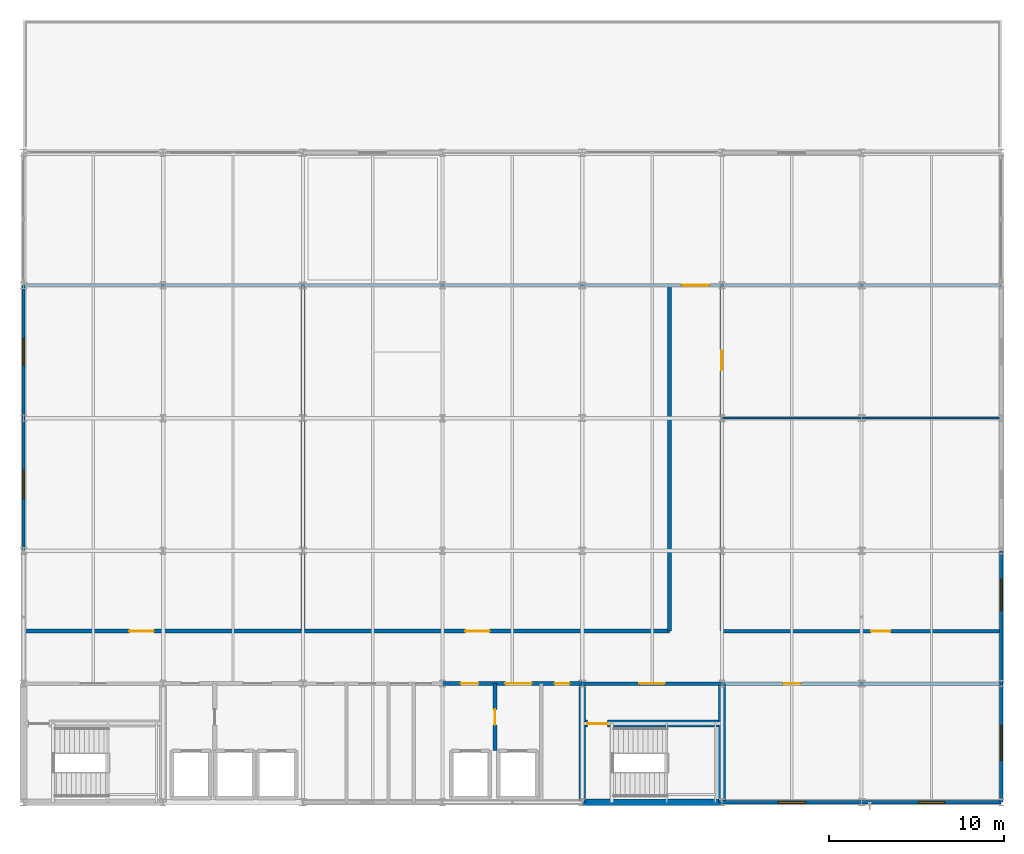
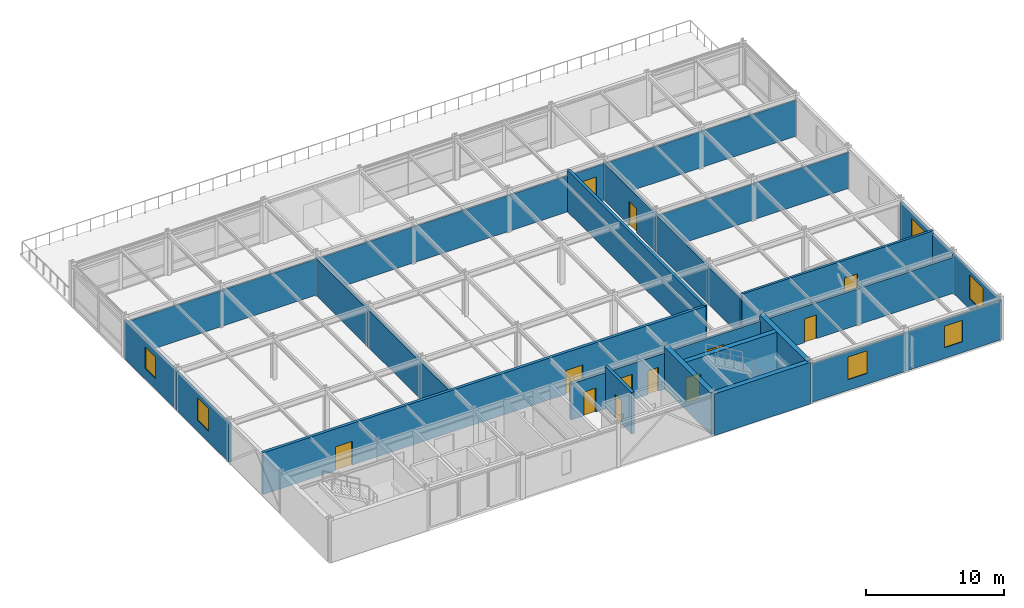
# One storey, part 14 of 17: 21 walls, 12 doors, 6 windows, 18 openings.
"""IFC4 building model written with IfcOpenShell, lengths in metres."""

from ifc_helpers import new_model, si_unit, direction, frame, frame_2d, origin, place, context, subcontext, project, spatial, rectangle, extrude, material, layer, layer_set, type_object, element, fill, save


model = new_model("IFC4")

# Units and contexts
model_context = context("Model", 3, precision=1e-05, world=origin(), true_north=direction((0.0, 1.0)))
body_context = subcontext(model_context, "Body", "Model", "MODEL_VIEW")
ifc_project = project(units=[si_unit("LENGTHUNIT", "METRE"), si_unit("AREAUNIT", "SQUARE_METRE"), si_unit("VOLUMEUNIT", "CUBIC_METRE"), si_unit("PLANEANGLEUNIT", "RADIAN"), si_unit("MASSUNIT", "GRAM", prefix="KILO")], contexts=[model_context])

# Site, building, storey
site_placement = place(None, origin())
site = spatial("IfcSite", under=ifc_project, at=site_placement, CompositionType="ELEMENT")
building_placement = place(site_placement, origin())
building = spatial("IfcBuilding", under=site, at=building_placement, Name="Shalkamar Park Central Library", CompositionType="ELEMENT")
storey_placement = place(building_placement, frame((0.0, 0.0, 36.0)))
storey = spatial("IfcBuildingStorey", under=building, at=storey_placement, Name="L09", CompositionType="ELEMENT", Elevation=36.0)

# Wall, opening, door
ifc_material_1 = material(Name="Acoustic insulated reading partition", Category="masonry")
ifc_layer_1 = layer(ifc_material_1, 0.139892578125)
ifc_layer_set_1 = layer_set([ifc_layer_1], Name="AcousticPartition_140")
wall_type_1 = type_object("IfcWallType", Name="Acoustic Partition 140", PredefinedType="PARTITIONING", material=ifc_layer_set_1)
wall_1_placement = place(storey_placement, frame((165.0, 278.0, 0.0), z_axis=(0.0, 0.0, 1.0), x_axis=(1.0, 0.0, 0.0)))
wall_1 = element("IfcWall", 1, at=wall_1_placement, inside=storey, type_object=wall_type_1, Name="Interior Partition WL-INT-L09-017", PredefinedType="PARTITIONING", context=body_context, shape_type="SweptSolid", body=[
    extrude(rectangle(XDim=56.0, YDim=0.139892578125, at=frame_2d((28.0, 0.0))), origin(), (0.0, 0.0, 1.0), 3.177978515625),
])
opening_1_placement = place(wall_1_placement, frame((37.699951171875, 0.0, 0.0)))
opening_1 = element("IfcOpeningElement", 2, at=opening_1_placement, cuts=wall_1, Name="Opening DR-L09-017", PredefinedType="OPENING", context=body_context, shape_type="SweptSolid", body=[
    extrude(rectangle(XDim=1.60009765625, YDim=2.25, at=frame_2d((0.800048828125, 1.125))), frame((0.0, 0.0849609375, 0.0), z_axis=(0.0, -1.0, 0.0), x_axis=(1.0, 0.0, 0.0)), (0.0, 0.0, 1.0), 0.169677734375),
])
ifc_material_2 = material(Name="Steel S355", Category="steel")
door_type_1 = type_object("IfcDoorType", Name="Interior Door Double 1600x2250", OperationType="DOUBLE_DOOR_SINGLE_SWING", PredefinedType="DOOR", material=ifc_material_2)
door_1_placement = place(opening_1_placement, origin())
door_1 = element("IfcDoor", 3, at=door_1_placement, inside=storey, type_object=door_type_1, Name="L09 Terrace Reading Room Door", OperationType="DOUBLE_DOOR_SINGLE_SWING", OverallHeight=2.25, OverallWidth=1.60009765625, PredefinedType="DOOR", context=body_context, shape_type="SweptSolid", body=[
    extrude(rectangle(XDim=1.60009765625, YDim=2.25, at=frame_2d((0.800048828125, 1.125))), frame((0.0, 0.02490234375, 0.0), z_axis=(0.0, -1.0, 0.0), x_axis=(1.0, 0.0, 0.0)), (0.0, 0.0, 1.0), 0.050048828125),
])
fill(opening_1, door_1)

ifc_material_3 = material(Name="Reinforced fire-compartment masonry wall", Category="masonry")
ifc_layer_2 = layer(ifc_material_3, 0.239990234375)
ifc_layer_set_2 = layer_set([ifc_layer_2], Name="CompartmentWall_240")
wall_type_2 = type_object("IfcWallType", Name="Compartment Wall 240", PredefinedType="PARTITIONING", material=ifc_layer_set_2)
wall_2_placement = place(storey_placement, frame((192.0, 251.35009765625, 0.0), z_axis=(0.0, 0.0, 1.0), x_axis=(0.0, 1.0, 0.0)))
wall_2 = element("IfcWall", 4, at=wall_2_placement, inside=storey, type_object=wall_type_2, Name="Interior Partition WL-INT-L09-002", PredefinedType="PARTITIONING", context=body_context, shape_type="SweptSolid", body=[
    extrude(rectangle(XDim=3.849853515625, YDim=0.239990234375, at=frame_2d((1.9248046875, 0.0))), origin(), (0.0, 0.0, 1.0), 3.679931640625),
])
opening_2_placement = place(wall_2_placement, frame((1.47509765625, 0.0, 0.0)))
opening_2 = element("IfcOpeningElement", 5, at=opening_2_placement, cuts=wall_2, Name="Opening DR-L09-002", PredefinedType="OPENING", context=body_context, shape_type="SweptSolid", body=[
    extrude(rectangle(XDim=0.89990234375, YDim=2.10009765625, at=frame_2d((0.449951171875, 1.050048828125))), frame((0.0, 0.134765625, 0.0), z_axis=(0.0, -1.0, 0.0), x_axis=(1.0, 0.0, 0.0)), (0.0, 0.0, 1.0), 0.269775390625),
])
door_type_2 = type_object("IfcDoorType", Name="Fire Door Single 900x2100", OperationType="NOTDEFINED", PredefinedType="DOOR", material=ifc_material_2)
door_2_placement = place(opening_2_placement, frame((0.89990234375, 0.0, 0.0), z_axis=(0.0, 0.0, 1.0), x_axis=(-1.0, 0.0, 0.0)))
door_2 = element("IfcDoor", 6, at=door_2_placement, inside=storey, type_object=door_type_2, Name="Fire Lobby Interconnect Door", OperationType="SINGLE_SWING_LEFT", OverallHeight=2.10009765625, OverallWidth=0.89990234375, PredefinedType="DOOR", context=body_context, shape_type="SweptSolid", body=[
    extrude(rectangle(XDim=0.89990234375, YDim=2.10009765625, at=frame_2d((0.449951171875, 1.050048828125))), frame((0.0, 0.02490234375, 0.0), z_axis=(0.0, -1.0, 0.0), x_axis=(1.0, 0.0, 0.0)), (0.0, 0.0, 1.0), 0.050048828125),
])
fill(opening_2, door_2)

# Wall, openings, doors
wall_3_placement = place(storey_placement, frame((189.0, 255.199951171875, 0.0), z_axis=(0.0, 0.0, 1.0), x_axis=(1.0, 0.0, 0.0)))
wall_3 = element("IfcWall", 7, at=wall_3_placement, inside=storey, type_object=wall_type_2, Name="Interior Partition WL-INT-L09-009", PredefinedType="PARTITIONING", context=body_context, shape_type="SweptSolid", body=[
    extrude(rectangle(XDim=8.0, YDim=0.239990234375, at=frame_2d((4.0, 0.0))), origin(), (0.0, 0.0, 1.0), 3.177978515625),
])
opening_3_placement = place(wall_3_placement, frame((1.050048828125, 0.0, 0.0)))
opening_3 = element("IfcOpeningElement", 8, at=opening_3_placement, cuts=wall_3, Name="Opening DR-L09-009", PredefinedType="OPENING", context=body_context, shape_type="SweptSolid", body=[
    extrude(rectangle(XDim=1.0, YDim=2.10009765625, at=frame_2d((0.5, 1.050048828125))), frame((0.0, 0.134765625, 0.0), z_axis=(0.0, -1.0, 0.0), x_axis=(1.0, 0.0, 0.0)), (0.0, 0.0, 1.0), 0.269775390625),
])
opening_4_placement = place(wall_3_placement, frame((3.60009765625, 0.0, 0.0)))
opening_4 = element("IfcOpeningElement", 9, at=opening_4_placement, cuts=wall_3, Name="Opening DR-L09-010", PredefinedType="OPENING", context=body_context, shape_type="SweptSolid", body=[
    extrude(rectangle(XDim=1.5, YDim=2.25, at=frame_2d((0.75, 1.125))), frame((0.0, 0.134765625, 0.0), z_axis=(0.0, -1.0, 0.0), x_axis=(1.0, 0.0, 0.0)), (0.0, 0.0, 1.0), 0.269775390625),
])
opening_5_placement = place(wall_3_placement, frame((6.425048828125, 0.0, 0.0)))
opening_5 = element("IfcOpeningElement", 10, at=opening_5_placement, cuts=wall_3, Name="Opening DR-L09-011", PredefinedType="OPENING", context=body_context, shape_type="SweptSolid", body=[
    extrude(rectangle(XDim=0.85009765625, YDim=2.10009765625, at=frame_2d((0.425048828125, 1.050048828125))), frame((0.0, 0.134765625, 0.0), z_axis=(0.0, -1.0, 0.0), x_axis=(1.0, 0.0, 0.0)), (0.0, 0.0, 1.0), 0.269775390625),
])
door_type_3 = type_object("IfcDoorType", Name="Fire Door Riser 850x2100", OperationType="NOTDEFINED", PredefinedType="DOOR", material=ifc_material_2)
door_3_placement = place(opening_5_placement, frame((0.85009765625, 0.0, 0.0), z_axis=(0.0, 0.0, 1.0), x_axis=(-1.0, 0.0, 0.0)))
door_3 = element("IfcDoor", 11, at=door_3_placement, inside=storey, type_object=door_type_3, Name="Mechanical Riser Access Door", OperationType="SINGLE_SWING_LEFT", OverallHeight=2.10009765625, OverallWidth=0.85009765625, PredefinedType="DOOR", context=body_context, shape_type="SweptSolid", body=[
    extrude(rectangle(XDim=0.85009765625, YDim=2.10009765625, at=frame_2d((0.425048828125, 1.050048828125))), frame((0.0, 0.02490234375, 0.0), z_axis=(0.0, -1.0, 0.0), x_axis=(1.0, 0.0, 0.0)), (0.0, 0.0, 1.0), 0.050048828125),
])
fill(opening_5, door_3)
door_type_4 = type_object("IfcDoorType", Name="Fire Door Single 1000x2100", OperationType="NOTDEFINED", PredefinedType="DOOR", material=ifc_material_2)
door_4_placement = place(opening_3_placement, origin())
door_4 = element("IfcDoor", 12, at=door_4_placement, inside=storey, type_object=door_type_4, Name="East Firefighting Lobby Door", OperationType="SINGLE_SWING_LEFT", OverallHeight=2.10009765625, OverallWidth=1.0, PredefinedType="DOOR", context=body_context, shape_type="SweptSolid", body=[
    extrude(rectangle(XDim=1.0, YDim=2.10009765625, at=frame_2d((0.5, 1.050048828125))), frame((0.0, 0.02490234375, 0.0), z_axis=(0.0, -1.0, 0.0), x_axis=(1.0, 0.0, 0.0)), (0.0, 0.0, 1.0), 0.050048828125),
])
fill(opening_3, door_4)
door_type_5 = type_object("IfcDoorType", Name="Interior Door Double 1500x2250", OperationType="DOUBLE_DOOR_SINGLE_SWING", PredefinedType="DOOR", material=ifc_material_2)
door_5_placement = place(opening_4_placement, origin())
door_5 = element("IfcDoor", 13, at=door_5_placement, inside=storey, type_object=door_type_5, Name="East Lift Lobby Entrance", OperationType="DOUBLE_DOOR_SINGLE_SWING", OverallHeight=2.25, OverallWidth=1.5, PredefinedType="DOOR", context=body_context, shape_type="SweptSolid", body=[
    extrude(rectangle(XDim=1.5, YDim=2.25, at=frame_2d((0.75, 1.125))), frame((0.0, 0.02490234375, 0.0), z_axis=(0.0, -1.0, 0.0), x_axis=(1.0, 0.0, 0.0)), (0.0, 0.0, 1.0), 0.050048828125),
])
fill(opening_4, door_5)

wall_4_placement = place(storey_placement, frame((165.0, 258.199951171875, 0.0), z_axis=(0.0, 0.0, 1.0), x_axis=(1.0, 0.0, 0.0)))
wall_4 = element("IfcWall", 14, at=wall_4_placement, inside=storey, type_object=wall_type_2, Name="Interior Partition WL-INT-L09-011", PredefinedType="PARTITIONING", context=body_context, shape_type="SweptSolid", body=[
    extrude(rectangle(XDim=37.0, YDim=0.239990234375, at=frame_2d((18.5, 0.0))), origin(), (0.0, 0.0, 1.0), 3.679931640625),
])
opening_6_placement = place(wall_4_placement, frame((6.06005859375, 0.0, 0.0)))
opening_6 = element("IfcOpeningElement", 15, at=opening_6_placement, cuts=wall_4, Name="Opening DR-L09-013", PredefinedType="OPENING", context=body_context, shape_type="SweptSolid", body=[
    extrude(rectangle(XDim=1.39990234375, YDim=2.10009765625, at=frame_2d((0.699951171875, 1.050048828125))), frame((0.0, 0.134765625, 0.0), z_axis=(0.0, -1.0, 0.0), x_axis=(1.0, 0.0, 0.0)), (0.0, 0.0, 1.0), 0.269775390625),
])
opening_7_placement = place(wall_4_placement, frame((25.300048828125, 0.0, 0.0)))
opening_7 = element("IfcOpeningElement", 16, at=opening_7_placement, cuts=wall_4, Name="Opening DR-L09-014", PredefinedType="OPENING", context=body_context, shape_type="SweptSolid", body=[
    extrude(rectangle(XDim=1.39990234375, YDim=2.10009765625, at=frame_2d((0.699951171875, 1.050048828125))), frame((0.0, 0.134765625, 0.0), z_axis=(0.0, -1.0, 0.0), x_axis=(1.0, 0.0, 0.0)), (0.0, 0.0, 1.0), 0.269775390625),
])
door_type_6 = type_object("IfcDoorType", Name="Fire Door Double 1400x2100", OperationType="DOUBLE_DOOR_SINGLE_SWING", PredefinedType="DOOR", material=ifc_material_2)
door_6_placement = place(opening_6_placement, origin())
door_6 = element("IfcDoor", 17, at=door_6_placement, inside=storey, type_object=door_type_6, Name="L09 Periodical Stacks West Door", OperationType="DOUBLE_DOOR_SINGLE_SWING", OverallHeight=2.10009765625, OverallWidth=1.39990234375, PredefinedType="DOOR", context=body_context, shape_type="SweptSolid", body=[
    extrude(rectangle(XDim=1.39990234375, YDim=2.10009765625, at=frame_2d((0.699951171875, 1.050048828125))), frame((0.0, 0.02490234375, 0.0), z_axis=(0.0, -1.0, 0.0), x_axis=(1.0, 0.0, 0.0)), (0.0, 0.0, 1.0), 0.050048828125),
])
fill(opening_6, door_6)
door_7_placement = place(opening_7_placement, origin())
door_7 = element("IfcDoor", 18, at=door_7_placement, inside=storey, type_object=door_type_6, Name="L09 Periodical Stacks Central Door", OperationType="DOUBLE_DOOR_SINGLE_SWING", OverallHeight=2.10009765625, OverallWidth=1.39990234375, PredefinedType="DOOR", context=body_context, shape_type="SweptSolid", body=[
    extrude(rectangle(XDim=1.39990234375, YDim=2.10009765625, at=frame_2d((0.699951171875, 1.050048828125))), frame((0.0, 0.02490234375, 0.0), z_axis=(0.0, -1.0, 0.0), x_axis=(1.0, 0.0, 0.0)), (0.0, 0.0, 1.0), 0.050048828125),
])
fill(opening_7, door_7)

# Walls
wall_5_placement = place(storey_placement, frame((181.0, 258.199951171875, 0.0), z_axis=(0.0, 0.0, 1.0), x_axis=(0.0, 1.0, 0.0)))
element("IfcWall", 19, at=wall_5_placement, inside=storey, type_object=wall_type_2, Name="Interior Partition WL-INT-L09-012", PredefinedType="PARTITIONING", context=body_context, shape_type="SweptSolid", body=[
    extrude(rectangle(XDim=19.800048828125, YDim=0.239990234375, at=frame_2d((9.89990234375, 0.0))), origin(), (0.0, 0.0, 1.0), 3.278076171875),
])
wall_6_placement = place(storey_placement, frame((202.0, 258.199951171875, 0.0), z_axis=(0.0, 0.0, 1.0), x_axis=(0.0, 1.0, 0.0)))
element("IfcWall", 20, at=wall_6_placement, inside=storey, type_object=wall_type_2, Name="Interior Partition WL-INT-L09-013", PredefinedType="PARTITIONING", context=body_context, shape_type="SweptSolid", body=[
    extrude(rectangle(XDim=19.800048828125, YDim=0.239990234375, at=frame_2d((9.89990234375, 0.0))), origin(), (0.0, 0.0, 1.0), 3.679931640625),
])

# Wall, opening, door
ifc_material_4 = material(Name="Fire-rated corridor partition wall", Category="masonry")
ifc_layer_3 = layer(ifc_material_4, 0.199951171875)
ifc_layer_set_3 = layer_set([ifc_layer_3], Name="CorridorFireWall_200")
wall_type_3 = type_object("IfcWallType", Name="Corridor Fire Wall 200", PredefinedType="PARTITIONING", material=ifc_layer_set_3)
wall_7_placement = place(storey_placement, frame((197.0, 255.199951171875, 0.0), z_axis=(0.0, 0.0, 1.0), x_axis=(1.0, 0.0, 0.0)))
wall_7 = element("IfcWall", 21, at=wall_7_placement, inside=storey, type_object=wall_type_3, Name="CORE-T2 Vestibule North Wall (L09)", PredefinedType="PARTITIONING", context=body_context, shape_type="SweptSolid", body=[
    extrude(rectangle(XDim=8.0, YDim=0.199951171875, at=frame_2d((4.0, 0.0))), origin(), (0.0, 0.0, 1.0), 3.177978515625),
])
opening_8_placement = place(wall_7_placement, frame((3.27490234375, 0.0, 0.0)))
opening_8 = element("IfcOpeningElement", 22, at=opening_8_placement, cuts=wall_7, Name="Opening DR-ST-T2-L09-VEST", PredefinedType="OPENING", context=body_context, shape_type="SweptSolid", body=[
    extrude(rectangle(XDim=1.449951171875, YDim=2.199951171875, at=frame_2d((0.72509765625, 1.10009765625))), frame((0.0, 0.11474609375, 0.0), z_axis=(0.0, -1.0, 0.0), x_axis=(1.0, 0.0, 0.0)), (0.0, 0.0, 1.0), 0.229736328125),
])
door_type_7 = type_object("IfcDoorType", Name="Stair Vestibule Door 1450x2200", OperationType="DOUBLE_DOOR_SINGLE_SWING", PredefinedType="DOOR", material=ifc_material_2)
door_8_placement = place(opening_8_placement, frame((1.449951171875, 0.0, 0.0), z_axis=(0.0, 0.0, 1.0), x_axis=(-1.0, 0.0, 0.0)))
door_8 = element("IfcDoor", 23, at=door_8_placement, inside=storey, type_object=door_type_7, Name="Protected Stair ST-T2 Vestibule Door (L09)", OperationType="DOUBLE_DOOR_SINGLE_SWING", OverallHeight=2.199951171875, OverallWidth=1.449951171875, PredefinedType="DOOR", context=body_context, shape_type="SweptSolid", body=[
    extrude(rectangle(XDim=1.449951171875, YDim=2.199951171875, at=frame_2d((0.72509765625, 1.10009765625))), frame((0.0, 0.02490234375, 0.0), z_axis=(0.0, -1.0, 0.0), x_axis=(1.0, 0.0, 0.0)), (0.0, 0.0, 1.0), 0.050048828125),
])
fill(opening_8, door_8)

wall_8_placement = place(storey_placement, frame((205.0, 255.199951171875, 0.0), z_axis=(0.0, 0.0, 1.0), x_axis=(1.0, 0.0, 0.0)))
wall_8 = element("IfcWall", 24, at=wall_8_placement, inside=storey, type_object=wall_type_3, Name="Interior Partition WL-INT-L09-010", PredefinedType="PARTITIONING", context=body_context, shape_type="SweptSolid", body=[
    extrude(rectangle(XDim=16.0, YDim=0.199951171875, at=frame_2d((8.0, 0.0))), origin(), (0.0, 0.0, 1.0), 3.177978515625),
])
opening_9_placement = place(wall_8_placement, frame((3.5, 0.0, 0.0)))
opening_9 = element("IfcOpeningElement", 25, at=opening_9_placement, cuts=wall_8, Name="Opening DR-L09-012", PredefinedType="OPENING", context=body_context, shape_type="SweptSolid", body=[
    extrude(rectangle(XDim=1.0, YDim=2.10009765625, at=frame_2d((0.5, 1.050048828125))), frame((0.0, 0.11474609375, 0.0), z_axis=(0.0, -1.0, 0.0), x_axis=(1.0, 0.0, 0.0)), (0.0, 0.0, 1.0), 0.229736328125),
])
door_type_8 = type_object("IfcDoorType", Name="Interior Door Single 1000x2100", OperationType="NOTDEFINED", PredefinedType="DOOR", material=ifc_material_2)
door_9_placement = place(opening_9_placement, frame((1.0, 0.0, 0.0), z_axis=(0.0, 0.0, 1.0), x_axis=(-1.0, 0.0, 0.0)))
door_9 = element("IfcDoor", 26, at=door_9_placement, inside=storey, type_object=door_type_8, Name="L09 Periodicals Office Door", OperationType="SINGLE_SWING_RIGHT", OverallHeight=2.10009765625, OverallWidth=1.0, PredefinedType="DOOR", context=body_context, shape_type="SweptSolid", body=[
    extrude(rectangle(XDim=1.0, YDim=2.10009765625, at=frame_2d((0.5, 1.050048828125))), frame((0.0, 0.02490234375, 0.0), z_axis=(0.0, -1.0, 0.0), x_axis=(1.0, 0.0, 0.0)), (0.0, 0.0, 1.0), 0.050048828125),
])
fill(opening_9, door_9)

wall_9_placement = place(storey_placement, frame((205.0, 258.199951171875, 0.0), z_axis=(0.0, 0.0, 1.0), x_axis=(1.0, 0.0, 0.0)))
wall_9 = element("IfcWall", 27, at=wall_9_placement, inside=storey, type_object=wall_type_3, Name="Interior Partition WL-INT-L09-014", PredefinedType="PARTITIONING", context=body_context, shape_type="SweptSolid", body=[
    extrude(rectangle(XDim=16.0, YDim=0.199951171875, at=frame_2d((8.0, 0.0))), origin(), (0.0, 0.0, 1.0), 3.679931640625),
])
opening_10_placement = place(wall_9_placement, frame((8.5400390625, 0.0, 0.0)))
opening_10 = element("IfcOpeningElement", 28, at=opening_10_placement, cuts=wall_9, Name="Opening DR-L09-015", PredefinedType="OPENING", context=body_context, shape_type="SweptSolid", body=[
    extrude(rectangle(XDim=1.10009765625, YDim=2.10009765625, at=frame_2d((0.550048828125, 1.050048828125))), frame((0.0, 0.11474609375, 0.0), z_axis=(0.0, -1.0, 0.0), x_axis=(1.0, 0.0, 0.0)), (0.0, 0.0, 1.0), 0.229736328125),
])
door_type_9 = type_object("IfcDoorType", Name="Interior Door Single 1100x2100", OperationType="NOTDEFINED", PredefinedType="DOOR", material=ifc_material_2)
door_10_placement = place(opening_10_placement, origin())
door_10 = element("IfcDoor", 29, at=door_10_placement, inside=storey, type_object=door_type_9, Name="L09 Collaborative Seminar A Door", OperationType="SINGLE_SWING_RIGHT", OverallHeight=2.10009765625, OverallWidth=1.10009765625, PredefinedType="DOOR", context=body_context, shape_type="SweptSolid", body=[
    extrude(rectangle(XDim=1.10009765625, YDim=2.10009765625, at=frame_2d((0.550048828125, 1.050048828125))), frame((0.0, 0.02490234375, 0.0), z_axis=(0.0, -1.0, 0.0), x_axis=(1.0, 0.0, 0.0)), (0.0, 0.0, 1.0), 0.050048828125),
])
fill(opening_10, door_10)

wall_10_placement = place(storey_placement, frame((205.0, 258.199951171875, 0.0), z_axis=(0.0, 0.0, 1.0), x_axis=(0.0, 1.0, 0.0)))
wall_10 = element("IfcWall", 30, at=wall_10_placement, inside=storey, type_object=wall_type_3, Name="Interior Partition WL-INT-L09-015", PredefinedType="PARTITIONING", context=body_context, shape_type="SweptSolid", body=[
    extrude(rectangle(XDim=19.800048828125, YDim=0.199951171875, at=frame_2d((9.89990234375, 0.0))), origin(), (0.0, 0.0, 1.0), 3.278076171875),
])
opening_11_placement = place(wall_10_placement, frame((14.949951171875, 0.0, 0.0)))
opening_11 = element("IfcOpeningElement", 31, at=opening_11_placement, cuts=wall_10, Name="Opening DR-L09-016", PredefinedType="OPENING", context=body_context, shape_type="SweptSolid", body=[
    extrude(rectangle(XDim=1.10009765625, YDim=2.10009765625, at=frame_2d((0.550048828125, 1.050048828125))), frame((0.0, 0.11474609375, 0.0), z_axis=(0.0, -1.0, 0.0), x_axis=(1.0, 0.0, 0.0)), (0.0, 0.0, 1.0), 0.229736328125),
])
door_11_placement = place(opening_11_placement, frame((1.10009765625, 0.0, 0.0), z_axis=(0.0, 0.0, 1.0), x_axis=(-1.0, 0.0, 0.0)))
door_11 = element("IfcDoor", 32, at=door_11_placement, inside=storey, type_object=door_type_9, Name="L09 Collaborative Seminar B Door", OperationType="SINGLE_SWING_LEFT", OverallHeight=2.10009765625, OverallWidth=1.10009765625, PredefinedType="DOOR", context=body_context, shape_type="SweptSolid", body=[
    extrude(rectangle(XDim=1.10009765625, YDim=2.10009765625, at=frame_2d((0.550048828125, 1.050048828125))), frame((0.0, 0.02490234375, 0.0), z_axis=(0.0, -1.0, 0.0), x_axis=(1.0, 0.0, 0.0)), (0.0, 0.0, 1.0), 0.050048828125),
])
fill(opening_11, door_11)

# Walls
ifc_material_5 = material(Name="Lightweight acoustic stud partition", Category="masonry")
ifc_layer_4 = layer(ifc_material_5, 0.1201171875)
ifc_layer_set_4 = layer_set([ifc_layer_4], Name="StandardPartition_120")
wall_type_4 = type_object("IfcWallType", Name="Standard Partition 120", PredefinedType="PARTITIONING", material=ifc_layer_set_4)
wall_11_placement = place(storey_placement, frame((205.0, 270.39990234375, 0.0), z_axis=(0.0, 0.0, 1.0), x_axis=(1.0, 0.0, 0.0)))
element("IfcWall", 33, at=wall_11_placement, inside=storey, type_object=wall_type_4, Name="Interior Partition WL-INT-L09-016", PredefinedType="PARTITIONING", context=body_context, shape_type="SweptSolid", body=[
    extrude(rectangle(XDim=16.0, YDim=0.1201171875, at=frame_2d((8.0, 0.0))), origin(), (0.0, 0.0, 1.0), 3.177978515625),
])
ifc_material_6 = material(Name="Concrete C40/50", Category="concrete")
ifc_layer_5 = layer(ifc_material_6, 0.39990234375)
ifc_layer_set_5 = layer_set([ifc_layer_5], Name="Concrete C40/50")
wall_type_5 = type_object("IfcWallType", Name="Tower Core Shear Wall 400", PredefinedType="SHEAR", material=ifc_layer_set_5)
wall_12_placement = place(storey_placement, frame((197.0, 248.39990234375, 0.0), z_axis=(0.0, 0.0, 1.0), x_axis=(1.0, 0.0, 0.0)))
element("IfcWall", 34, at=wall_12_placement, inside=storey, type_object=wall_type_5, Name="CORE-T2 South Shear Wall (L09)", PredefinedType="SHEAR", context=body_context, shape_type="SweptSolid", body=[
    extrude(rectangle(XDim=8.0, YDim=0.39990234375, at=frame_2d((4.0, 0.0))), origin(), (0.0, 0.0, 1.0), 3.679931640625),
])
for number, where, z_axis, x_axis, name in (
    (35, (197.0, 248.39990234375, 0.0), (0.0, 0.0, 1.0), (0.0, 1.0, 0.0), "CORE-T2 West Shear Wall (L09)"),
    (36, (205.0, 248.39990234375, 0.0), (0.0, 0.0, 1.0), (0.0, 1.0, 0.0), "CORE-T2 East Shear Wall (L09)"),
):
    element("IfcWall", number, at=place(storey_placement, frame(where, z_axis=z_axis, x_axis=x_axis)), inside=storey, type_object=wall_type_5, Name=name, PredefinedType="SHEAR", context=body_context, shape_type="SweptSolid", body=[
        extrude(rectangle(XDim=6.800048828125, YDim=0.39990234375, at=frame_2d((3.39990234375, 0.0))), origin(), (0.0, 0.0, 1.0), 3.679931640625),
    ])

# Wall, opening, door
wall_13_placement = place(storey_placement, frame((197.0, 252.89990234375, 0.0), z_axis=(0.0, 0.0, 1.0), x_axis=(1.0, 0.0, 0.0)))
wall_13 = element("IfcWall", 37, at=wall_13_placement, inside=storey, type_object=wall_type_5, Name="CORE-T2 Stairwell Wall (L09)", PredefinedType="SHEAR", context=body_context, shape_type="SweptSolid", body=[
    extrude(rectangle(XDim=8.0, YDim=0.39990234375, at=frame_2d((4.0, 0.0))), origin(), (0.0, 0.0, 1.0), 3.679931640625),
])
opening_12_placement = place(wall_13_placement, frame((0.300048828125, 0.0, 0.0)))
opening_12 = element("IfcOpeningElement", 38, at=opening_12_placement, cuts=wall_13, Name="Opening DR-ST-T2-L09-IN", PredefinedType="OPENING", context=body_context, shape_type="SweptSolid", body=[
    extrude(rectangle(XDim=1.14990234375, YDim=2.14990234375, at=frame_2d((0.574951171875, 1.074951171875))), frame((0.0, 0.21484375, 0.0), z_axis=(0.0, -1.0, 0.0), x_axis=(1.0, 0.0, 0.0)), (0.0, 0.0, 1.0), 0.4296875),
])
door_type_10 = type_object("IfcDoorType", Name="Stair Core Exit Door 1150x2150", OperationType="NOTDEFINED", PredefinedType="DOOR", material=ifc_material_2)
door_12_placement = place(opening_12_placement, frame((1.14990234375, 0.0, 0.0), z_axis=(0.0, 0.0, 1.0), x_axis=(-1.0, 0.0, 0.0)))
door_12 = element("IfcDoor", 39, at=door_12_placement, inside=storey, type_object=door_type_10, Name="Protected Stair ST-T2 Exit Door (L09)", OperationType="SINGLE_SWING_RIGHT", OverallHeight=2.14990234375, OverallWidth=1.14990234375, PredefinedType="DOOR", context=body_context, shape_type="SweptSolid", body=[
    extrude(rectangle(XDim=1.14990234375, YDim=2.14990234375, at=frame_2d((0.574951171875, 1.074951171875))), frame((0.0, 0.02490234375, 0.0), z_axis=(0.0, -1.0, 0.0), x_axis=(1.0, 0.0, 0.0)), (0.0, 0.0, 1.0), 0.050048828125),
])
fill(opening_12, door_12)

# Wall, opening, window
ifc_material_7 = material(Name="Terracotta insulated wall panel", Category="masonry")
ifc_layer_6 = layer(ifc_material_7, 0.179931640625)
ifc_layer_set_6 = layer_set([ifc_layer_6], Name="TowerSpandrelWall_180")
wall_type_6 = type_object("IfcWallType", Name="Tower Spandrel Wall 180", PredefinedType="SOLIDWALL", material=ifc_layer_set_6)
wall_14_placement = place(storey_placement, frame((205.006103515625, 248.39990234375, 0.0), z_axis=(0.0, 0.0, 1.0), x_axis=(1.0, 0.0, 0.0)))
wall_14 = element("IfcWall", 40, at=wall_14_placement, inside=storey, type_object=wall_type_6, Name="Exterior Facade Wall WL-EXT-L09-188", PredefinedType="SOLIDWALL", context=body_context, shape_type="SweptSolid", body=[
    extrude(rectangle(XDim=7.98779296875, YDim=0.179931640625, at=frame_2d((3.993896484375, 0.0))), origin(), (0.0, 0.0, 1.0), 3.367919921875),
])
opening_13_placement = place(wall_14_placement, frame((3.194091796875, 0.0, 0.949951171875)))
opening_13 = element("IfcOpeningElement", 41, at=opening_13_placement, cuts=wall_14, Name="Opening WN-13", PredefinedType="OPENING", context=body_context, shape_type="SweptSolid", body=[
    extrude(rectangle(XDim=1.60009765625, YDim=2.0, at=frame_2d((0.800048828125, 1.0))), frame((0.0, 0.10498046875, 0.0), z_axis=(0.0, -1.0, 0.0), x_axis=(1.0, 0.0, 0.0)), (0.0, 0.0, 1.0), 0.209716796875),
])
ifc_material_8 = material(Name="Thermally broken aluminium and triple low-e glass", Category="glass")
window_type_1 = type_object("IfcWindowType", Name="Tower Window 1600x2000", PartitioningType="SINGLE_PANEL", PredefinedType="WINDOW", material=ifc_material_8)
window_1_placement = place(opening_13_placement, origin())
window_1 = element("IfcWindow", 42, at=window_1_placement, inside=storey, type_object=window_type_1, Name="Facade Window WN-L09-134", OverallHeight=2.0, OverallWidth=1.60009765625, PartitioningType="SINGLE_PANEL", PredefinedType="WINDOW", context=body_context, shape_type="SweptSolid", body=[
    extrude(rectangle(XDim=1.60009765625, YDim=2.0, at=frame_2d((0.800048828125, 1.0))), frame((0.0, 0.030029296875, 0.0), z_axis=(0.0, -1.0, 0.0), x_axis=(1.0, 0.0, 0.0)), (0.0, 0.0, 1.0), 0.06005859375),
])
fill(opening_13, window_1)

wall_15_placement = place(storey_placement, frame((213.006103515625, 248.39990234375, 0.0), z_axis=(0.0, 0.0, 1.0), x_axis=(1.0, 0.0, 0.0)))
wall_15 = element("IfcWall", 43, at=wall_15_placement, inside=storey, type_object=wall_type_6, Name="Exterior Facade Wall WL-EXT-L09-189", PredefinedType="SOLIDWALL", context=body_context, shape_type="SweptSolid", body=[
    extrude(rectangle(XDim=7.98779296875, YDim=0.179931640625, at=frame_2d((3.993896484375, 0.0))), origin(), (0.0, 0.0, 1.0), 3.367919921875),
])
opening_14_placement = place(wall_15_placement, frame((3.243896484375, 0.0, 0.949951171875)))
opening_14 = element("IfcOpeningElement", 44, at=opening_14_placement, cuts=wall_15, Name="Opening WN-14", PredefinedType="OPENING", context=body_context, shape_type="SweptSolid", body=[
    extrude(rectangle(XDim=1.5, YDim=1.89990234375, at=frame_2d((0.75, 0.949951171875))), frame((0.0, 0.10498046875, 0.0), z_axis=(0.0, -1.0, 0.0), x_axis=(1.0, 0.0, 0.0)), (0.0, 0.0, 1.0), 0.209716796875),
])
window_type_2 = type_object("IfcWindowType", Name="Tower Window 1500x1900", PartitioningType="SINGLE_PANEL", PredefinedType="WINDOW", material=ifc_material_8)
window_2_placement = place(opening_14_placement, origin())
window_2 = element("IfcWindow", 45, at=window_2_placement, inside=storey, type_object=window_type_2, Name="Facade Window WN-L09-135", OverallHeight=1.89990234375, OverallWidth=1.5, PartitioningType="SINGLE_PANEL", PredefinedType="WINDOW", context=body_context, shape_type="SweptSolid", body=[
    extrude(rectangle(XDim=1.5, YDim=1.89990234375, at=frame_2d((0.75, 0.949951171875))), frame((0.0, 0.030029296875, 0.0), z_axis=(0.0, -1.0, 0.0), x_axis=(1.0, 0.0, 0.0)), (0.0, 0.0, 1.0), 0.06005859375),
])
fill(opening_14, window_2)

wall_16_placement = place(storey_placement, frame((165.0, 262.805908203125, 0.0), z_axis=(0.0, 0.0, 1.0), x_axis=(0.0, 1.0, 0.0)))
wall_16 = element("IfcWall", 46, at=wall_16_placement, inside=storey, type_object=wall_type_6, Name="Exterior Facade Wall WL-EXT-L09-193", PredefinedType="SOLIDWALL", context=body_context, shape_type="SweptSolid", body=[
    extrude(rectangle(XDim=7.588134765625, YDim=0.179931640625, at=frame_2d((3.7939453125, 0.0))), origin(), (0.0, 0.0, 1.0), 3.407958984375),
])
opening_15_placement = place(wall_16_placement, frame((2.993896484375, 0.0, 0.949951171875)))
opening_15 = element("IfcOpeningElement", 47, at=opening_15_placement, cuts=wall_16, Name="Opening WN-13", PredefinedType="OPENING", context=body_context, shape_type="SweptSolid", body=[
    extrude(rectangle(XDim=1.60009765625, YDim=2.0, at=frame_2d((0.800048828125, 1.0))), frame((0.0, 0.10498046875, 0.0), z_axis=(0.0, -1.0, 0.0), x_axis=(1.0, 0.0, 0.0)), (0.0, 0.0, 1.0), 0.209716796875),
])
window_3_placement = place(opening_15_placement, origin())
window_3 = element("IfcWindow", 48, at=window_3_placement, inside=storey, type_object=window_type_1, Name="Facade Window WN-L09-136", OverallHeight=2.0, OverallWidth=1.60009765625, PartitioningType="SINGLE_PANEL", PredefinedType="WINDOW", context=body_context, shape_type="SweptSolid", body=[
    extrude(rectangle(XDim=1.60009765625, YDim=2.0, at=frame_2d((0.800048828125, 1.0))), frame((0.0, 0.030029296875, 0.0), z_axis=(0.0, -1.0, 0.0), x_axis=(1.0, 0.0, 0.0)), (0.0, 0.0, 1.0), 0.06005859375),
])
fill(opening_15, window_3)

wall_17_placement = place(storey_placement, frame((165.0, 270.406005859375, 0.0), z_axis=(0.0, 0.0, 1.0), x_axis=(0.0, 1.0, 0.0)))
wall_17 = element("IfcWall", 49, at=wall_17_placement, inside=storey, type_object=wall_type_6, Name="Exterior Facade Wall WL-EXT-L09-194", PredefinedType="SOLIDWALL", context=body_context, shape_type="SweptSolid", body=[
    extrude(rectangle(XDim=7.587890625, YDim=0.179931640625, at=frame_2d((3.7939453125, 0.0))), origin(), (0.0, 0.0, 1.0), 3.407958984375),
])
opening_16_placement = place(wall_17_placement, frame((3.0439453125, 0.0, 0.949951171875)))
opening_16 = element("IfcOpeningElement", 50, at=opening_16_placement, cuts=wall_17, Name="Opening WN-14", PredefinedType="OPENING", context=body_context, shape_type="SweptSolid", body=[
    extrude(rectangle(XDim=1.5, YDim=1.89990234375, at=frame_2d((0.75, 0.949951171875))), frame((0.0, 0.10498046875, 0.0), z_axis=(0.0, -1.0, 0.0), x_axis=(1.0, 0.0, 0.0)), (0.0, 0.0, 1.0), 0.209716796875),
])
window_4_placement = place(opening_16_placement, origin())
window_4 = element("IfcWindow", 51, at=window_4_placement, inside=storey, type_object=window_type_2, Name="Facade Window WN-L09-137", OverallHeight=1.89990234375, OverallWidth=1.5, PartitioningType="SINGLE_PANEL", PredefinedType="WINDOW", context=body_context, shape_type="SweptSolid", body=[
    extrude(rectangle(XDim=1.5, YDim=1.89990234375, at=frame_2d((0.75, 0.949951171875))), frame((0.0, 0.030029296875, 0.0), z_axis=(0.0, -1.0, 0.0), x_axis=(1.0, 0.0, 0.0)), (0.0, 0.0, 1.0), 0.06005859375),
])
fill(opening_16, window_4)

wall_18_placement = place(storey_placement, frame((221.0, 248.406005859375, 0.0), z_axis=(0.0, 0.0, 1.0), x_axis=(0.0, 1.0, 0.0)))
wall_18 = element("IfcWall", 52, at=wall_18_placement, inside=storey, type_object=wall_type_6, Name="Exterior Facade Wall WL-EXT-L09-195", PredefinedType="SOLIDWALL", context=body_context, shape_type="SweptSolid", body=[
    extrude(rectangle(XDim=6.7880859375, YDim=0.179931640625, at=frame_2d((3.39404296875, 0.0))), origin(), (0.0, 0.0, 1.0), 3.447998046875),
])
opening_17_placement = place(wall_18_placement, frame((2.39404296875, 0.0, 0.949951171875)))
opening_17 = element("IfcOpeningElement", 53, at=opening_17_placement, cuts=wall_18, Name="Opening WN-11", PredefinedType="OPENING", context=body_context, shape_type="SweptSolid", body=[
    extrude(rectangle(XDim=2.0, YDim=2.10009765625, at=frame_2d((1.0, 1.050048828125))), frame((0.0, 0.10498046875, 0.0), z_axis=(0.0, -1.0, 0.0), x_axis=(1.0, 0.0, 0.0)), (0.0, 0.0, 1.0), 0.209716796875),
])
window_type_3 = type_object("IfcWindowType", Name="Tower Window 2000x2100", PartitioningType="DOUBLE_PANEL_VERTICAL", PredefinedType="WINDOW", material=ifc_material_8)
window_5_placement = place(opening_17_placement, origin())
window_5 = element("IfcWindow", 54, at=window_5_placement, inside=storey, type_object=window_type_3, Name="Facade Window WN-L09-138", OverallHeight=2.10009765625, OverallWidth=2.0, PartitioningType="DOUBLE_PANEL_VERTICAL", PredefinedType="WINDOW", context=body_context, shape_type="SweptSolid", body=[
    extrude(rectangle(XDim=2.0, YDim=2.10009765625, at=frame_2d((1.0, 1.050048828125))), frame((0.0, 0.030029296875, 0.0), z_axis=(0.0, -1.0, 0.0), x_axis=(1.0, 0.0, 0.0)), (0.0, 0.0, 1.0), 0.06005859375),
])
fill(opening_17, window_5)

wall_19_placement = place(storey_placement, frame((221.0, 255.2060546875, 0.0), z_axis=(0.0, 0.0, 1.0), x_axis=(0.0, 1.0, 0.0)))
wall_19 = element("IfcWall", 55, at=wall_19_placement, inside=storey, type_object=wall_type_6, Name="Exterior Facade Wall WL-EXT-L09-196", PredefinedType="SOLIDWALL", context=body_context, shape_type="SweptSolid", body=[
    extrude(rectangle(XDim=7.587890625, YDim=0.179931640625, at=frame_2d((3.7939453125, 0.0))), origin(), (0.0, 0.0, 1.0), 3.407958984375),
])
opening_18_placement = place(wall_19_placement, frame((4.166015625, 0.0, 0.949951171875)))
opening_18 = element("IfcOpeningElement", 56, at=opening_18_placement, cuts=wall_19, Name="Opening WN-12", PredefinedType="OPENING", context=body_context, shape_type="SweptSolid", body=[
    extrude(rectangle(XDim=1.800048828125, YDim=2.0, at=frame_2d((0.89990234375, 1.0))), frame((0.0, 0.10498046875, 0.0), z_axis=(0.0, -1.0, 0.0), x_axis=(1.0, 0.0, 0.0)), (0.0, 0.0, 1.0), 0.209716796875),
])
window_type_4 = type_object("IfcWindowType", Name="Tower Window 1800x2000", PartitioningType="DOUBLE_PANEL_VERTICAL", PredefinedType="WINDOW", material=ifc_material_8)
window_6_placement = place(opening_18_placement, origin())
window_6 = element("IfcWindow", 57, at=window_6_placement, inside=storey, type_object=window_type_4, Name="Facade Window WN-L09-139", OverallHeight=2.0, OverallWidth=1.800048828125, PartitioningType="DOUBLE_PANEL_VERTICAL", PredefinedType="WINDOW", context=body_context, shape_type="SweptSolid", body=[
    extrude(rectangle(XDim=1.800048828125, YDim=2.0, at=frame_2d((0.89990234375, 1.0))), frame((0.0, 0.030029296875, 0.0), z_axis=(0.0, -1.0, 0.0), x_axis=(1.0, 0.0, 0.0)), (0.0, 0.0, 1.0), 0.06005859375),
])
fill(opening_18, window_6)

save(model, "model.ifc")
